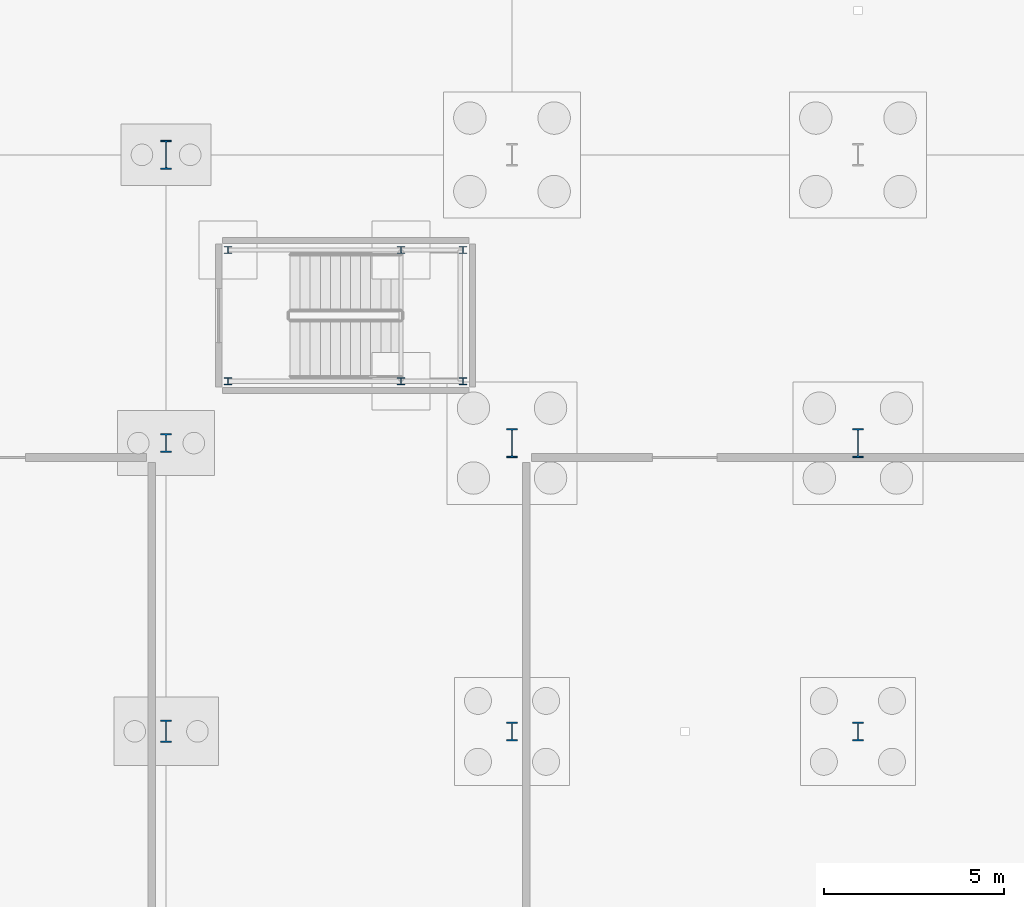
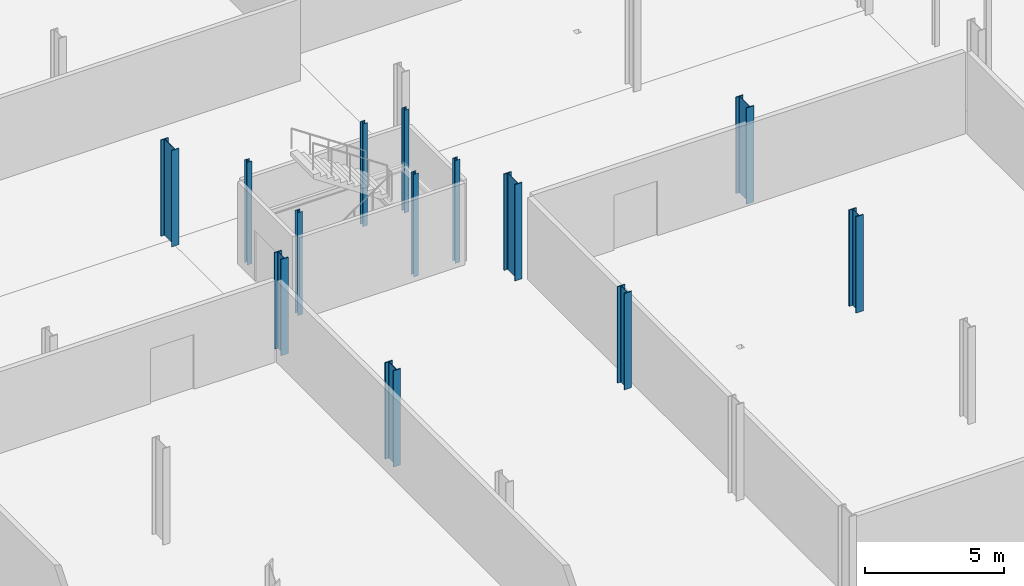
# One storey, part 20 of 47: 13 columns.
"""IFC4 building model written with IfcOpenShell, lengths in metres."""

from ifc_helpers import new_model, si_unit, direction, frame, origin, origin_2d, place, context, subcontext, project, spatial, i_section, extrude, material, material_profile, profile_set, type_object, element, save


model = new_model("IFC4")

# Units and contexts
model_context = context("Model", 3, precision=1e-05, world=origin(), true_north=direction((0.0, 1.0)))
body_context = subcontext(model_context, "Body", "Model", "MODEL_VIEW")
ifc_project = project(units=[si_unit("LENGTHUNIT", "METRE"), si_unit("AREAUNIT", "SQUARE_METRE"), si_unit("VOLUMEUNIT", "CUBIC_METRE"), si_unit("PLANEANGLEUNIT", "RADIAN"), si_unit("MASSUNIT", "GRAM", prefix="KILO")], contexts=[model_context])

# Site, building, storey
site_placement = place(None, origin())
site = spatial("IfcSite", under=ifc_project, at=site_placement, CompositionType="ELEMENT")
building_placement = place(site_placement, origin())
building = spatial("IfcBuilding", under=site, at=building_placement, Name="Alderhovde Museum", CompositionType="ELEMENT")
storey_placement = place(building_placement, frame((0.0, 0.0, -4.5)))
storey = spatial("IfcBuildingStorey", under=building, at=storey_placement, Name="B1", CompositionType="ELEMENT", Elevation=-4.5)

# Columns
ifc_material_1 = material(Name="Steel S355J2", Category="steel")
ifc_material_profile_1 = material_profile(ifc_material_1, i_section(OverallWidth=0.199951171875, OverallDepth=0.18994140625, WebThickness=0.006591796875, FlangeThickness=0.010009765625, FilletRadius=0.01806640625, at=origin_2d()), Name="HEA 200")
ifc_profile_set_1 = profile_set([ifc_material_profile_1], Name="Steel S355J2")
column_type_1 = type_object("IfcColumnType", Name="COL-HEA200", PredefinedType="COLUMN", material=ifc_profile_set_1)
for number, where, z_axis, x_axis, name in (
    (1, (49.719970703125, 73.719970703125, 0.0), (0.0, 0.0, 1.0), (1.0, 0.0, 0.0), "B1 Stair ST6 Shaft Column 1"),
    (2, (56.239990234375, 73.719970703125, 0.0), (0.0, 0.0, 1.0), (1.0, 0.0, 0.0), "B1 Stair ST6 Shaft Column 2"),
    (3, (56.239990234375, 77.360107421875, 0.0), (0.0, 0.0, 1.0), (1.0, 0.0, 0.0), "B1 Stair ST6 Shaft Column 3"),
    (4, (49.719970703125, 77.360107421875, 0.0), (0.0, 0.0, 1.0), (1.0, 0.0, 0.0), "B1 Stair ST6 Shaft Column 4"),
    (5, (54.52001953125, 73.719970703125, 0.0), (0.0, 0.0, 1.0), (1.0, 0.0, 0.0), "B1 Stair ST6 Shaft Column 5"),
    (6, (54.52001953125, 77.360107421875, 0.0), (0.0, 0.0, 1.0), (1.0, 0.0, 0.0), "B1 Stair ST6 Shaft Column 6"),
):
    element("IfcColumn", number, at=place(storey_placement, frame(where, z_axis=z_axis, x_axis=x_axis)), inside=storey, type_object=column_type_1, Name=name, PredefinedType="COLUMN", context=body_context, shape_type="SweptSolid", body=[
        extrude(i_section(OverallWidth=0.199951171875, OverallDepth=0.18994140625, WebThickness=0.006591796875, FlangeThickness=0.010009765625, FilletRadius=0.01806640625, at=origin_2d()), origin(), (0.0, 0.0, 1.0), 4.5),
    ])
ifc_material_2 = material(Name="Steel S355J2", Category="steel")
ifc_material_profile_2 = material_profile(ifc_material_2, i_section(OverallWidth=0.300048828125, OverallDepth=0.800048828125, WebThickness=0.017578125, FlangeThickness=0.032958984375, FilletRadius=0.030029296875, at=origin_2d()), Name="HEB 800")
ifc_profile_set_2 = profile_set([ifc_material_profile_2], Name="Steel S355J2")
column_type_2 = type_object("IfcColumnType", Name="COL-HEB800", PredefinedType="COLUMN", material=ifc_profile_set_2)
for number, where, z_axis, x_axis, name in (
    (7, (48.0, 80.0, 0.0), (0.0, 0.0, 1.0), (1.0, 0.0, 0.0), "B1 Column (48.0, 80.0)"),
    (8, (57.60009765625, 72.0, 0.0), (0.0, 0.0, 1.0), (1.0, 0.0, 0.0), "B1 Column (57.6, 72.0)"),
    (9, (67.199951171875, 72.0, 0.0), (0.0, 0.0, 1.0), (1.0, 0.0, 0.0), "B1 Column (67.2, 72.0)"),
):
    element("IfcColumn", number, at=place(storey_placement, frame(where, z_axis=z_axis, x_axis=x_axis)), inside=storey, type_object=column_type_2, Name=name, PredefinedType="COLUMN", context=body_context, shape_type="SweptSolid", body=[
        extrude(i_section(OverallWidth=0.300048828125, OverallDepth=0.800048828125, WebThickness=0.017578125, FlangeThickness=0.032958984375, FilletRadius=0.030029296875, at=origin_2d()), origin(), (0.0, 0.0, 1.0), 4.219970703125),
    ])
ifc_material_3 = material(Name="Steel S355J2", Category="steel")
ifc_material_profile_3 = material_profile(ifc_material_3, i_section(OverallWidth=0.305908203125, OverallDepth=0.52392578125, WebThickness=0.02099609375, FlangeThickness=0.0400390625, FilletRadius=0.027099609375, at=origin_2d()), Name="HEM 500")
ifc_profile_set_3 = profile_set([ifc_material_profile_3], Name="Steel S355J2")
column_type_3 = type_object("IfcColumnType", Name="COL-HEM500", PredefinedType="COLUMN", material=ifc_profile_set_3)
for number, where, z_axis, x_axis, name in (
    (10, (48.0, 72.0, 0.0), (0.0, 0.0, 1.0), (1.0, 0.0, 0.0), "B1 Column (48.0, 72.0)"),
    (11, (57.60009765625, 64.0, 0.0), (0.0, 0.0, 1.0), (1.0, 0.0, 0.0), "B1 Column (57.6, 64.0)"),
    (12, (67.199951171875, 64.0, 0.0), (0.0, 0.0, 1.0), (1.0, 0.0, 0.0), "B1 Column (67.2, 64.0)"),
):
    element("IfcColumn", number, at=place(storey_placement, frame(where, z_axis=z_axis, x_axis=x_axis)), inside=storey, type_object=column_type_3, Name=name, PredefinedType="COLUMN", context=body_context, shape_type="SweptSolid", body=[
        extrude(i_section(OverallWidth=0.305908203125, OverallDepth=0.52392578125, WebThickness=0.02099609375, FlangeThickness=0.0400390625, FilletRadius=0.027099609375, at=origin_2d()), origin(), (0.0, 0.0, 1.0), 4.219970703125),
    ])
ifc_material_4 = material(Name="Steel S355J2", Category="steel")
ifc_material_profile_4 = material_profile(ifc_material_4, i_section(OverallWidth=0.304931640625, OverallDepth=0.6201171875, WebThickness=0.02099609375, FlangeThickness=0.0400390625, FilletRadius=0.027099609375, at=origin_2d()), Name="HEM 600")
ifc_profile_set_4 = profile_set([ifc_material_profile_4], Name="Steel S355J2")
column_type_4 = type_object("IfcColumnType", Name="COL-HEM600", PredefinedType="COLUMN", material=ifc_profile_set_4)
column_placement = place(storey_placement, frame((48.0, 64.0, 0.0), z_axis=(0.0, 0.0, 1.0), x_axis=(1.0, 0.0, 0.0)))
element("IfcColumn", 13, at=column_placement, inside=storey, type_object=column_type_4, Name="B1 Column (48.0, 64.0)", PredefinedType="COLUMN", context=body_context, shape_type="SweptSolid", body=[
    extrude(i_section(OverallWidth=0.304931640625, OverallDepth=0.6201171875, WebThickness=0.02099609375, FlangeThickness=0.0400390625, FilletRadius=0.027099609375, at=origin_2d()), origin(), (0.0, 0.0, 1.0), 4.219970703125),
])

save(model, "model.ifc")
